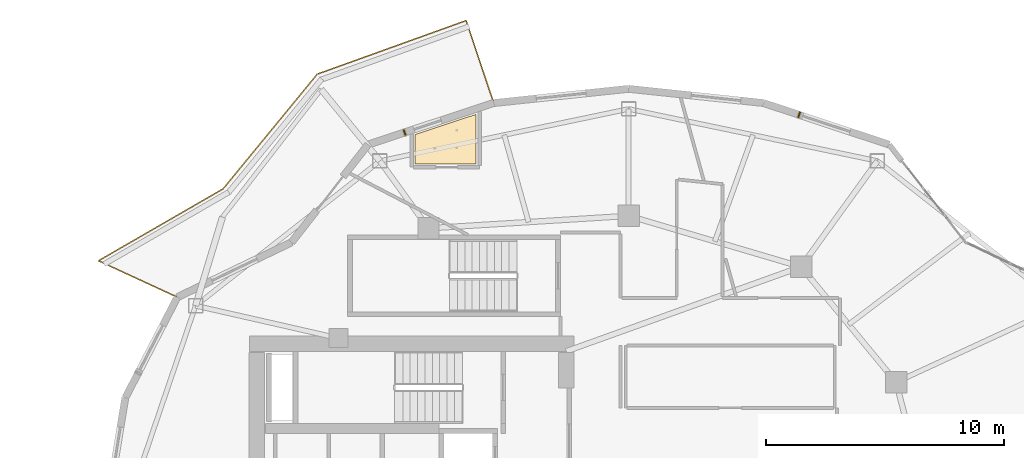
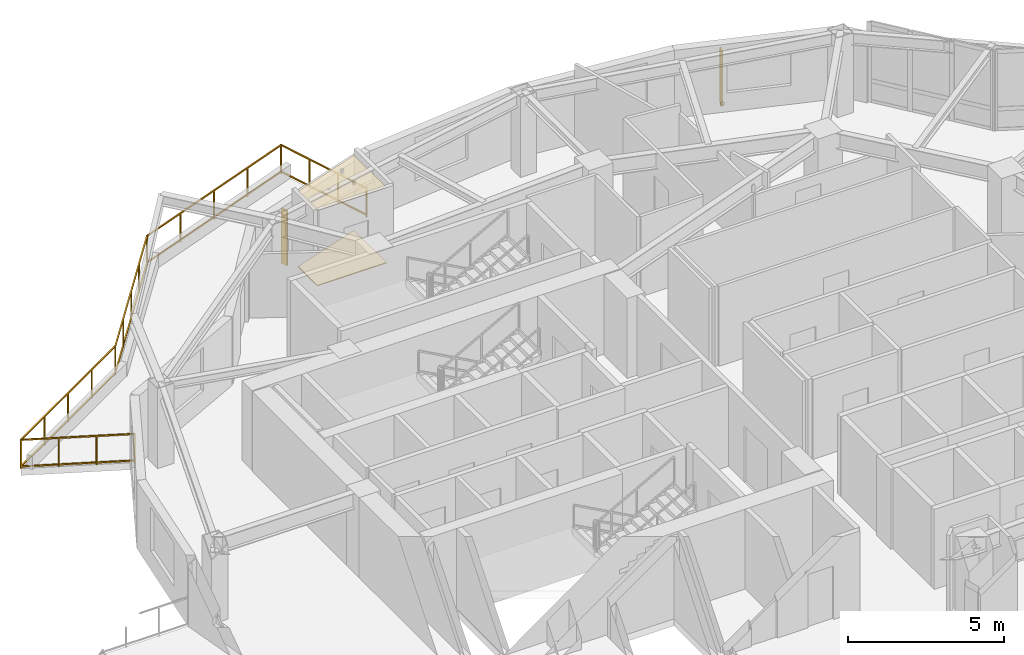
# One storey, part 19 of 19: 2 coverings, 2 shading devices, 1 railing.
"""IFC4 building model written with IfcOpenShell, lengths in metres."""

import ifcopenshell
import ifcopenshell.guid

model = None  # the IFC model being written
_history = None  # IfcOwnerHistory: only IFC2X3 demands one
_inside = {}  # id of a spatial element -> (the spatial element, [elements in it])
_under = {}  # id of a project, library or spatial element -> (it, [spatial elements below it])
_declared = {}  # id of a project -> (the project, [libraries it declares])
_typed = {}  # id of a type object -> (the type object, [elements of that type])
_made_of = {}  # id of a material, layer set ... -> (it, [elements and type objects made of it])


def new_model(schema):
    """Start an empty IFC model of exactly this schema.

    Asked for "IFC4X3", IfcOpenShell would pick the latest addendum, in which some entities
    have other attributes; the version numbers below select the first issue.
    IFC2X3 requires an IfcOwnerHistory on every rooted entity: one is made here for all.
    """
    global model, _history
    if schema == "IFC4X3":
        model = ifcopenshell.file(schema_version=(4, 3, 0, 0))
    else:
        model = ifcopenshell.file(schema=schema)
    _inside.clear()
    _under.clear()
    _declared.clear()
    _typed.clear()
    _made_of.clear()
    _history = None
    if model.schema == "IFC2X3":
        org = make("IfcOrganization", Name="unknown")
        user = make(
            "IfcPersonAndOrganization",
            ThePerson=make("IfcPerson", FamilyName="unknown"),
            TheOrganization=org,
        )
        app = make(
            "IfcApplication",
            ApplicationDeveloper=org,
            Version="unknown",
            ApplicationFullName="unknown",
            ApplicationIdentifier="unknown",
        )
        _history = make(
            "IfcOwnerHistory",
            OwningUser=user,
            OwningApplication=app,
            ChangeAction="ADDED",
            CreationDate=0,
        )
    return model


def make(cls, **values):
    """One entity of the class cls with the attributes given. An attribute that is None is left unset."""
    return model.create_entity(
        cls, **{name: value for name, value in values.items() if value is not None}
    )


def rooted(cls, **values):
    """An entity with a GlobalId (a new one), such as an element, a storey or a relation."""
    return make(cls, GlobalId=ifcopenshell.guid.new(), OwnerHistory=_history, **values)


def si_unit(unit_type, name, prefix=None):
    """IfcSIUnit, for example si_unit("LENGTHUNIT", "METRE", prefix="MILLI")."""
    return make("IfcSIUnit", UnitType=unit_type, Prefix=prefix, Name=name)


def assignment(units):
    """IfcUnitAssignment: the units of a project."""
    return None if units is None else make("IfcUnitAssignment", Units=units)


def point(xyz):
    """IfcCartesianPoint."""
    return None if xyz is None else make("IfcCartesianPoint", Coordinates=xyz)


def direction(xyz):
    """IfcDirection."""
    return None if xyz is None else make("IfcDirection", DirectionRatios=xyz)


def frame(location, z_axis=None, x_axis=None):
    """IfcAxis2Placement3D, a coordinate frame: its origin and axes. An axis left out is left unset."""
    return make(
        "IfcAxis2Placement3D",
        Location=point(location),
        Axis=direction(z_axis),
        RefDirection=direction(x_axis),
    )


def frame_2d(location, x_axis=None):
    """IfcAxis2Placement2D, a coordinate frame in the plane: its origin and x axis."""
    return make(
        "IfcAxis2Placement2D", Location=point(location), RefDirection=direction(x_axis)
    )


def origin():
    """The frame at (0, 0, 0) with its axes left unset."""
    return frame((0.0, 0.0, 0.0))


def origin_2d():
    """The frame at (0, 0) in the plane with its x axis left unset."""
    return frame_2d((0.0, 0.0))


def place(relative_to, where):
    """IfcLocalPlacement: puts the frame where relative to a parent placement (None: the world)."""
    return make(
        "IfcLocalPlacement", PlacementRelTo=relative_to, RelativePlacement=where
    )


def context(
    kind, dimensions, precision=None, world=None, true_north=None, identifier=None
):
    """IfcGeometricRepresentationContext, for example the 3D "Model" context."""
    return make(
        "IfcGeometricRepresentationContext",
        ContextIdentifier=identifier,
        ContextType=kind,
        CoordinateSpaceDimension=dimensions,
        Precision=precision,
        WorldCoordinateSystem=world,
        TrueNorth=true_north,
    )


def subcontext(parent, identifier, kind, view, scale=None):
    """IfcGeometricRepresentationSubContext, for example "Body" below "Model"."""
    return make(
        "IfcGeometricRepresentationSubContext",
        ContextIdentifier=identifier,
        ContextType=kind,
        ParentContext=parent,
        TargetScale=scale,
        TargetView=view,
    )


def project(units=None, contexts=None):
    """IfcProject with its units and contexts."""
    return rooted(
        "IfcProject",
        Name="project",
        RepresentationContexts=contexts,
        UnitsInContext=assignment(units),
    )


def spatial(cls, under=None, at=None, **own):
    """A site, building, storey or space (cls), placed at a placement, below another one or the project."""
    s = rooted(cls, ObjectPlacement=at, **own)
    if under is not None:
        _under.setdefault(under.id(), (under, []))[1].append(s)
    return s


def polyline(points):
    """IfcPolyline through the points."""
    return make("IfcPolyline", Points=[point(p) for p in points])


def profile(cls, at=None, kind="AREA", **sizes):
    """A parametric profile (cls). Its sizes go by their IFC names, for example OverallWidth=200.0."""
    return make(cls, ProfileType=kind, Position=at, **sizes)


def rectangle(**sizes):
    """IfcRectangleProfileDef."""
    return profile("IfcRectangleProfileDef", **sizes)


def outline(outer, holes=None, kind="AREA"):
    """IfcArbitraryClosedProfileDef: a profile drawn as a closed curve; with holes, ...WithVoids."""
    if holes is None:
        return make("IfcArbitraryClosedProfileDef", ProfileType=kind, OuterCurve=outer)
    return make(
        "IfcArbitraryProfileDefWithVoids",
        ProfileType=kind,
        OuterCurve=outer,
        InnerCurves=holes,
    )


def extrude(swept, where, along, depth):
    """IfcExtrudedAreaSolid: the profile swept, set in the frame where, extruded along a direction by depth."""
    return make(
        "IfcExtrudedAreaSolid",
        SweptArea=swept,
        Position=where,
        ExtrudedDirection=direction(along),
        Depth=depth,
    )


def shape(context_of_items, identifier, shape_type, items):
    """IfcShapeRepresentation: the items that make up one representation, for example the "Body"."""
    return make(
        "IfcShapeRepresentation",
        ContextOfItems=context_of_items,
        RepresentationIdentifier=identifier,
        RepresentationType=shape_type,
        Items=items,
    )


def material(Name=None, Category=None):
    """IfcMaterial."""
    return make("IfcMaterial", Name=Name, Category=Category)


def layer(
    of_material, thickness, ventilated=None, Name=None, Category=None, Priority=None
):
    """IfcMaterialLayer: one layer of a wall or slab, of a material (None: an air gap)."""
    return make(
        "IfcMaterialLayer",
        Material=of_material,
        LayerThickness=thickness,
        IsVentilated=ventilated,
        Name=Name,
        Category=Category,
        Priority=Priority,
    )


def layer_set(layers, Name=None):
    """IfcMaterialLayerSet."""
    return make("IfcMaterialLayerSet", MaterialLayers=layers, LayerSetName=Name)


def made_of(thing, what):
    """Note that an element or type object is made of a material, layer set ...; save() writes the relation."""
    if what is not None:
        _made_of.setdefault(what.id(), (what, []))[1].append(thing)
    return thing


def type_object(cls, material=None, **own):
    """A type object (cls), such as IfcWallType, which elements share."""
    return made_of(rooted(cls, **own), material)


def element(
    cls,
    number,
    at=None,
    inside=None,
    cuts=None,
    type_object=None,
    material=None,
    context=None,
    identifier="Body",
    shape_type=None,
    held_by="IfcProductDefinitionShape",
    body=None,
    shapes=None,
    **own,
):
    """One element of the class cls, such as IfcWall. Its Tag is "e" and its number.

    at: its placement. inside: the storey or other place that contains it. cuts: it is an
    opening in that element (IfcRelVoidsElement). A single representation is given by context,
    identifier, shape_type and body (its items); several are given by shapes. held_by: the class
    of the entity that holds the representations. save() writes the other relations.
    """
    e = rooted(cls, Tag="e%d" % number, ObjectPlacement=at, **own)
    if body is not None:
        shapes = [shape(context, identifier, shape_type, body)]
    if shapes is not None:
        e.Representation = make(held_by, Representations=shapes)
    if inside is not None:
        _inside.setdefault(inside.id(), (inside, []))[1].append(e)
    if cuts is not None:
        rooted(
            "IfcRelVoidsElement", RelatingBuildingElement=cuts, RelatedOpeningElement=e
        )
    if type_object is not None:
        _typed.setdefault(type_object.id(), (type_object, []))[1].append(e)
    return made_of(e, material)


def aggregate(whole, parts):
    """IfcRelAggregates: a whole, such as a stair, and the parts it consists of."""
    return rooted("IfcRelAggregates", RelatingObject=whole, RelatedObjects=parts)


def save(model, path):
    """Write the relations noted so far, then the file.

    IfcRelAggregates (storeys below a building ...), IfcRelContainedInSpatialStructure (elements
    in a storey), IfcRelDefinesByType, IfcRelAssociatesMaterial and IfcRelDeclares: one each for
    every whole, place, type object, material and project.
    """
    for whole, parts in _under.values():
        aggregate(whole, parts)
    for where, things in _inside.values():
        rooted(
            "IfcRelContainedInSpatialStructure",
            RelatedElements=things,
            RelatingStructure=where,
        )
    for kind, things in _typed.values():
        rooted("IfcRelDefinesByType", RelatedObjects=things, RelatingType=kind)
    for what, things in _made_of.values():
        rooted("IfcRelAssociatesMaterial", RelatedObjects=things, RelatingMaterial=what)
    for by, libraries in _declared.values():
        rooted("IfcRelDeclares", RelatingContext=by, RelatedDefinitions=libraries)
    model.write(path)


model = new_model("IFC4")

# Units and contexts
model_context = context("Model", 3, precision=1e-05, world=origin(), true_north=direction((0.0, 1.0)))
body_context = subcontext(model_context, "Body", "Model", "MODEL_VIEW")
ifc_project = project(units=[si_unit("LENGTHUNIT", "METRE"), si_unit("AREAUNIT", "SQUARE_METRE"), si_unit("VOLUMEUNIT", "CUBIC_METRE"), si_unit("PLANEANGLEUNIT", "RADIAN"), si_unit("MASSUNIT", "GRAM", prefix="KILO")], contexts=[model_context])

# Site, building, storey
site_placement = place(None, origin())
site = spatial("IfcSite", under=ifc_project, at=site_placement, CompositionType="ELEMENT")
building_placement = place(site_placement, origin())
building = spatial("IfcBuilding", under=site, at=building_placement, Name="Kolvaren Gate Tower and Convention Centre", CompositionType="ELEMENT")
storey_placement = place(building_placement, frame((0.0, 0.0, 169.89990234375)))
storey = spatial("IfcBuildingStorey", under=building, at=storey_placement, Name="L44", CompositionType="ELEMENT", Elevation=169.89990234375)

# Coverings
ifc_material_1 = material(Name="Perforated Mineral-Fibre Acoustic Ceiling Tile 18 mm", Category="gypsum")
ifc_layer_1 = layer(ifc_material_1, 0.01806640625)
ifc_layer_set_1 = layer_set([ifc_layer_1], Name="Perforated Mineral-Fibre Acoustic Ceiling Tile 18 mm")
covering_type_1 = type_object("IfcCoveringType", Name="ARCH-COV-CEIL-18", PredefinedType="CEILING", material=ifc_layer_set_1)
covering_1_placement = place(storey_placement, frame((0.0, 0.0, 2.9501953125)))
element("IfcCovering", 1, at=covering_1_placement, inside=storey, type_object=covering_type_1, Name="En-suite Bathroom (HTL-L44-06) Acoustic Suspended Ceiling", PredefinedType="CEILING", context=body_context, shape_type="SweptSolid", body=[
    extrude(outline(polyline([(23.7099609375, 41.389892578125), (21.139892578125, 41.389892578125), (21.139892578125, 42.6240234375), (23.7099609375, 43.47607421875), (23.7099609375, 41.389892578125)])), origin(), (0.0, 0.0, 1.0), 0.017822265625),
])
ifc_material_2 = material(Name="Honed Sabana Limestone Terrazzo Flooring 30 mm", Category="masonry")
ifc_layer_2 = layer(ifc_material_2, 0.030029296875)
ifc_layer_set_2 = layer_set([ifc_layer_2], Name="Honed Sabana Limestone Terrazzo Flooring 30 mm")
covering_type_2 = type_object("IfcCoveringType", Name="ARCH-COV-FLR-30", PredefinedType="FLOORING", material=ifc_layer_set_2)
covering_2_placement = place(storey_placement, origin())
element("IfcCovering", 2, at=covering_2_placement, inside=storey, type_object=covering_type_2, Name="En-suite Bathroom (HTL-L44-06) Interior Finish Flooring", PredefinedType="FLOORING", context=body_context, shape_type="SweptSolid", body=[
    extrude(outline(polyline([(23.7099609375, 41.389892578125), (21.139892578125, 41.389892578125), (21.139892578125, 42.6240234375), (23.7099609375, 43.47607421875), (23.7099609375, 41.389892578125)])), origin(), (0.0, 0.0, 1.0), 0.030029296875),
])

# Railing
ifc_material_3 = material(Name="Brushed Stainless Steel Grade 316L", Category="steel")
railing_type = type_object("IfcRailingType", Name="ARCH-RL-GUARD-1150", PredefinedType="GUARDRAIL", material=ifc_material_3)
railing_placement = place(storey_placement, frame((24.447265625, 43.951904296875, 0.0)))
element("IfcRailing", 3, at=railing_placement, inside=storey, type_object=railing_type, Name="Tower L44 Terrace Perimeter Guardrail GR-1", PredefinedType="GUARDRAIL", context=body_context, shape_type="SweptSolid", body=[
    extrude(rectangle(XDim=0.048095703125, YDim=0.048095703125, at=origin_2d()), frame((-0.0087890625, 0.026611328125, 1.1259765625), z_axis=(-0.317568160167, 0.94823544737, 0.0), x_axis=(-0.94823544737, -0.317568160167, 0.0)), (0.0, 0.0, 1.0), 3.60400390625),
    extrude(rectangle(XDim=0.048095703125, YDim=0.048095703125, at=origin_2d()), frame((-0.0087890625, 0.026611328125, 0.083984375), z_axis=(-0.317568160167, 0.94823544737, 0.0), x_axis=(-0.94823544737, -0.317568160167, 0.0)), (0.0, 0.0, 1.0), 3.60400390625),
    extrude(rectangle(XDim=0.048095703125, YDim=0.048095703125, at=origin_2d()), frame((-1.188720703125, 3.461181640625, 1.1259765625), z_axis=(-0.940948576924, -0.338549517184, 0.0), x_axis=(0.338549517184, -0.940948576924, 0.0)), (0.0, 0.0, 1.0), 6.60791015625),
    extrude(rectangle(XDim=0.048095703125, YDim=0.048095703125, at=origin_2d()), frame((-1.188720703125, 3.461181640625, 0.083984375), z_axis=(-0.940948576924, -0.338549517184, 0.0), x_axis=(0.338549517184, -0.940948576924, 0.0)), (0.0, 0.0, 1.0), 6.60791015625),
    extrude(rectangle(XDim=0.048095703125, YDim=0.048095703125, at=origin_2d()), frame((-7.45068359375, 1.19287109375, 1.1259765625), z_axis=(-0.634429234628, -0.77298094818, 0.0), x_axis=(0.77298094818, -0.634429234628, 0.0)), (0.0, 0.0, 1.0), 6.188720703125),
    extrude(rectangle(XDim=0.048095703125, YDim=0.048095703125, at=origin_2d()), frame((-7.45068359375, 1.19287109375, 0.083984375), z_axis=(-0.634429234628, -0.77298094818, 0.0), x_axis=(0.77298094818, -0.634429234628, 0.0)), (0.0, 0.0, 1.0), 6.188720703125),
    extrude(rectangle(XDim=0.048095703125, YDim=0.048095703125, at=origin_2d()), frame((-11.4189453125, -3.62646484375, 1.1259765625), z_axis=(-0.866075571306, -0.499913097234, 0.0), x_axis=(0.499913097234, -0.866075571306, 0.0)), (0.0, 0.0, 1.0), 6.004150390625),
    extrude(rectangle(XDim=0.048095703125, YDim=0.048095703125, at=origin_2d()), frame((-11.4189453125, -3.62646484375, 0.083984375), z_axis=(-0.866075571306, -0.499913097234, 0.0), x_axis=(0.499913097234, -0.866075571306, 0.0)), (0.0, 0.0, 1.0), 6.004150390625),
    extrude(rectangle(XDim=0.048095703125, YDim=0.048095703125, at=origin_2d()), frame((-16.617919921875, -6.65380859375, 1.1259765625), z_axis=(0.907820723829, -0.419358478377, 0.0), x_axis=(0.419358478377, 0.907820723829, 0.0)), (0.0, 0.0, 1.0), 3.60400390625),
    extrude(rectangle(XDim=0.048095703125, YDim=0.048095703125, at=origin_2d()), frame((-16.617919921875, -6.65380859375, 0.083984375), z_axis=(0.907820723829, -0.419358478377, 0.0), x_axis=(0.419358478377, 0.907820723829, 0.0)), (0.0, 0.0, 1.0), 3.60400390625),
    extrude(rectangle(XDim=0.0419921875, YDim=0.0419921875, at=origin_2d()), origin(), (0.0, 0.0, 1.0), 1.14990234375),
    extrude(rectangle(XDim=0.0419921875, YDim=0.0419921875, at=origin_2d()), frame((-1.162353515625, 3.470703125, 0.0)), (0.0, 0.0, 1.0), 1.14990234375),
    extrude(rectangle(XDim=0.0419921875, YDim=0.0419921875, at=origin_2d()), frame((-0.387451171875, 1.156982421875, 0.0)), (0.0, 0.0, 1.0), 1.099853515625),
    extrude(rectangle(XDim=0.0419921875, YDim=0.0419921875, at=origin_2d()), frame((-0.77490234375, 2.313720703125, 0.0)), (0.0, 0.0, 1.0), 1.099853515625),
    extrude(rectangle(XDim=0.0419921875, YDim=0.0419921875, at=origin_2d()), frame((-7.432861328125, 1.214599609375, 0.0)), (0.0, 0.0, 1.0), 1.14990234375),
    extrude(rectangle(XDim=0.0419921875, YDim=0.0419921875, at=origin_2d()), frame((-2.72998046875, 2.90673828125, 0.0)), (0.0, 0.0, 1.0), 1.099853515625),
    extrude(rectangle(XDim=0.0419921875, YDim=0.0419921875, at=origin_2d()), frame((-4.297607421875, 2.3427734375, 0.0)), (0.0, 0.0, 1.0), 1.099853515625),
    extrude(rectangle(XDim=0.0419921875, YDim=0.0419921875, at=origin_2d()), frame((-5.865234375, 1.778564453125, 0.0)), (0.0, 0.0, 1.0), 1.099853515625),
    extrude(rectangle(XDim=0.0419921875, YDim=0.0419921875, at=origin_2d()), frame((-11.394775390625, -3.612548828125, 0.0)), (0.0, 0.0, 1.0), 1.14990234375),
    extrude(rectangle(XDim=0.0419921875, YDim=0.0419921875, at=origin_2d()), frame((-8.42333984375, 0.0078125, 0.0)), (0.0, 0.0, 1.0), 1.099853515625),
    extrude(rectangle(XDim=0.0419921875, YDim=0.0419921875, at=origin_2d()), frame((-9.413818359375, -1.198974609375, 0.0)), (0.0, 0.0, 1.0), 1.099853515625),
    extrude(rectangle(XDim=0.0419921875, YDim=0.0419921875, at=origin_2d()), frame((-10.404296875, -2.40576171875, 0.0)), (0.0, 0.0, 1.0), 1.099853515625),
    extrude(rectangle(XDim=0.0419921875, YDim=0.0419921875, at=origin_2d()), frame((-16.643310546875, -6.64208984375, 0.0)), (0.0, 0.0, 1.0), 1.14990234375),
    extrude(rectangle(XDim=0.0419921875, YDim=0.0419921875, at=origin_2d()), frame((-12.70703125, -4.369873046875, 0.0)), (0.0, 0.0, 1.0), 1.099853515625),
    extrude(rectangle(XDim=0.0419921875, YDim=0.0419921875, at=origin_2d()), frame((-14.01904296875, -5.12744140625, 0.0)), (0.0, 0.0, 1.0), 1.099853515625),
    extrude(rectangle(XDim=0.0419921875, YDim=0.0419921875, at=origin_2d()), frame((-15.3310546875, -5.884765625, 0.0)), (0.0, 0.0, 1.0), 1.099853515625),
    extrude(rectangle(XDim=0.0419921875, YDim=0.0419921875, at=origin_2d()), frame((-13.320556640625, -8.177001953125, 0.0)), (0.0, 0.0, 1.0), 1.14990234375),
    extrude(rectangle(XDim=0.0419921875, YDim=0.0419921875, at=origin_2d()), frame((-15.53564453125, -7.15380859375, 0.0)), (0.0, 0.0, 1.0), 1.099853515625),
    extrude(rectangle(XDim=0.0419921875, YDim=0.0419921875, at=origin_2d()), frame((-14.42822265625, -7.665283203125, 0.0)), (0.0, 0.0, 1.0), 1.099853515625),
])

# Shading devices
ifc_material_4 = material(Name="Kiln-Fired Bogota Terracotta Ceramic Louvre Profile", Category="masonry")
shading_device_type = type_object("IfcShadingDeviceType", Name="ARCH-SHD-FIN-180", PredefinedType="JALOUSIE", material=ifc_material_4)
for number, where, z_axis, x_axis, name in (
    (4, (37.2998046875, 43.455810546875, 0.22021484375), (0.0, 0.0, 1.0), (0.949239532616, -0.314554144335, 0.0), "Ceramic Vertical Brise-Soleil Fin FN-L44-04"),
    (5, (20.694091796875, 42.708251953125, 0.22021484375), (0.0, 0.0, 1.0), (0.949237885602, 0.314559114537, 0.0), "Ceramic Vertical Brise-Soleil Fin FN-L44-07"),
):
    element("IfcShadingDevice", number, at=place(storey_placement, frame(where, z_axis=z_axis, x_axis=x_axis)), inside=storey, type_object=shading_device_type, Name=name, PredefinedType="JALOUSIE", context=body_context, shape_type="SweptSolid", body=[
        extrude(rectangle(XDim=0.06005859375, YDim=0.239990234375, at=origin_2d()), origin(), (0.0, 0.0, 1.0), 2.14990234375),
    ])

save(model, "model.ifc")
